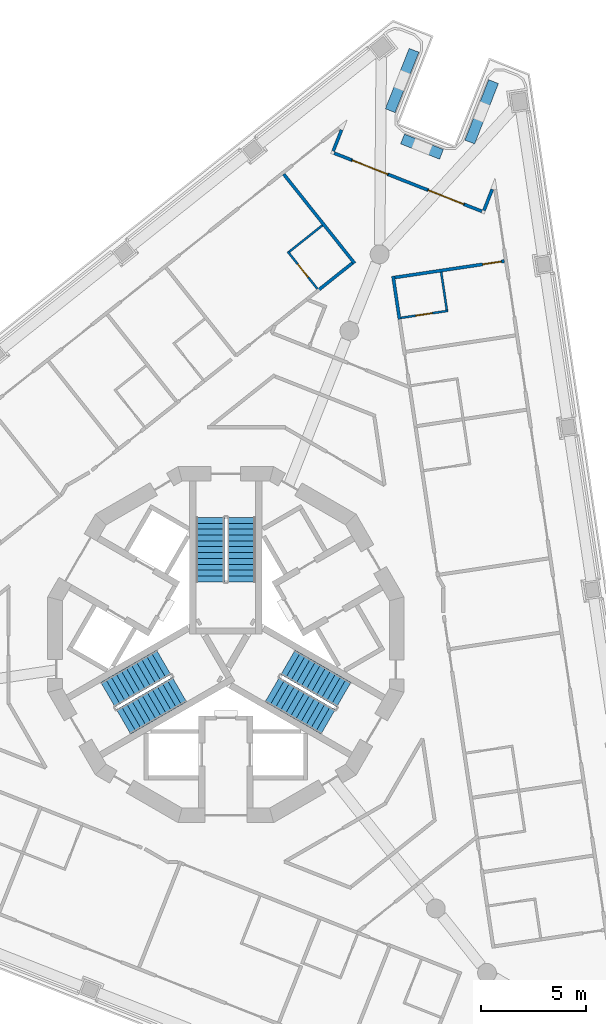
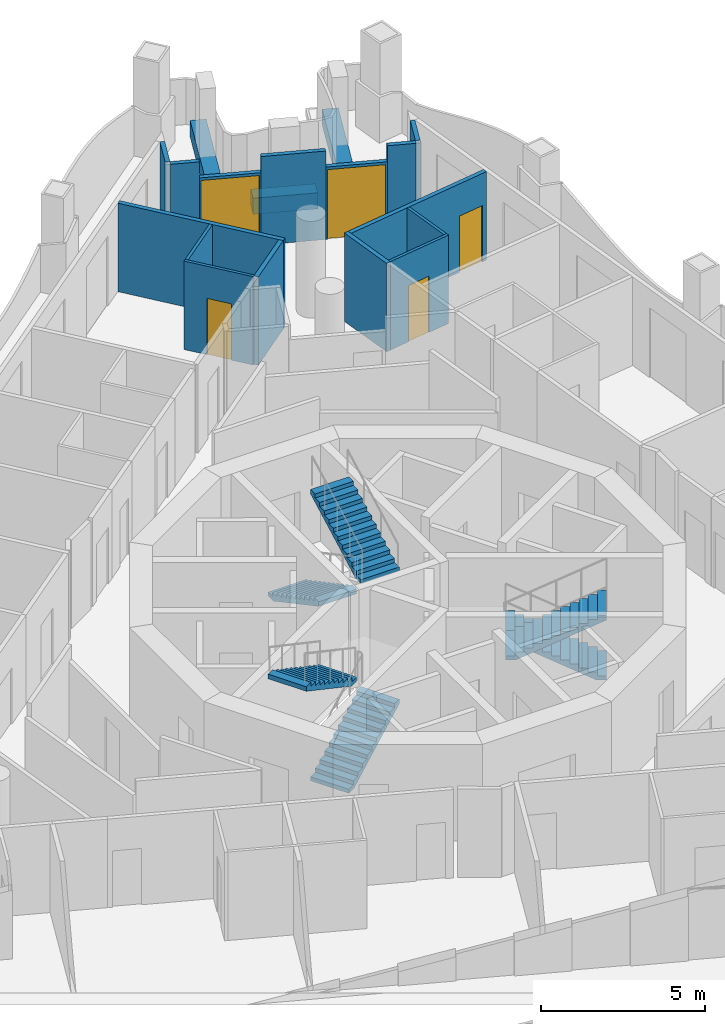
# One storey, part 9 of 16: 18 walls, 6 stair flights, 5 doors, 5 openings, 3 elements without a shape of their own.
"""IFC4 building model written with IfcOpenShell, lengths in metres."""

from ifc_helpers import new_model, si_unit, direction, frame, frame_2d, origin, place, context, subcontext, project, spatial, polyline, rectangle, outline, extrude, material, layer, layer_set, type_object, element, fill, aggregate, save


model = new_model("IFC4")

# Units and contexts
model_context = context("Model", 3, precision=1e-05, world=origin(), true_north=direction((0.0, 1.0)))
body_context = subcontext(model_context, "Body", "Model", "MODEL_VIEW")
ifc_project = project(units=[si_unit("LENGTHUNIT", "METRE"), si_unit("AREAUNIT", "SQUARE_METRE"), si_unit("VOLUMEUNIT", "CUBIC_METRE"), si_unit("PLANEANGLEUNIT", "RADIAN"), si_unit("MASSUNIT", "GRAM", prefix="KILO")], contexts=[model_context])

# Site, building, storey
site_placement = place(None, origin())
site = spatial("IfcSite", under=ifc_project, at=site_placement, CompositionType="ELEMENT")
building_placement = place(site_placement, origin())
building = spatial("IfcBuilding", under=site, at=building_placement, Name="Trine Commons Tower", CompositionType="ELEMENT")
storey_placement = place(building_placement, frame((0.0, 0.0, 201.60009765625)))
storey = spatial("IfcBuildingStorey", under=building, at=storey_placement, Name="L52", CompositionType="ELEMENT", Elevation=201.60009765625)

# Walls
ifc_material_1 = material(Name="Aluminium-framed insulated wall panel", Category="aluminium")
ifc_layer_1 = layer(ifc_material_1, 0.14990234375)
ifc_layer_set_1 = layer_set([ifc_layer_1], Name="Aluminium-framed insulated wall panel")
wall_type_1 = type_object("IfcWallType", Name="Glazed frame wall 150, EI 60", PredefinedType="SOLIDWALL", material=ifc_layer_set_1)
wall_1_placement = place(storey_placement, frame((85.575927734375, 87.201171875, 0.0), z_axis=(0.0, 0.0, 1.0), x_axis=(-0.366472142006, -0.930429024232, 0.0)))
element("IfcWall", 1, at=wall_1_placement, inside=storey, type_object=wall_type_1, Name="Glazed frame wall R2", PredefinedType="SOLIDWALL", context=body_context, shape_type="SweptSolid", body=[
    extrude(outline(polyline([(0.1494140625, 0.074951171875), (0.1494140625, -0.074951171875), (1.235107421875, -0.074951171875), (1.235107421875, 0.074951171875), (0.1494140625, 0.074951171875)])), origin(), (0.0, 0.0, 1.0), 3.2998046875),
])
wall_2_placement = place(storey_placement, frame((85.063232421875, 85.9951171875, 0.0), z_axis=(0.0, 0.0, 1.0), x_axis=(0.930433620143, -0.366460473323, 0.0)))
element("IfcWall", 2, at=wall_2_placement, inside=storey, type_object=wall_type_1, Name="Glazed frame wall P1.1", PredefinedType="SOLIDWALL", context=body_context, shape_type="SweptSolid", body=[
    extrude(outline(polyline([(0.110107421875, -0.074951171875), (1.0, -0.074951171875), (1.0, 0.074951171875), (0.110107421875, 0.074951171875), (0.110107421875, -0.074951171875)])), origin(), (0.0, 0.0, 1.0), 3.2998046875),
])

# Wall, opening, door
wall_3_placement = place(storey_placement, frame((85.99365234375, 85.628662109375, 0.0), z_axis=(0.0, 0.0, 1.0), x_axis=(0.930387146689, -0.366578446279, 0.0)))
wall_3 = element("IfcWall", 3, at=wall_3_placement, inside=storey, type_object=wall_type_1, Name="Glazed frame wall P1.2", PredefinedType="SOLIDWALL", context=body_context, shape_type="SweptSolid", body=[
    extrude(outline(polyline([(0.0, -0.074951171875), (1.89990234375, -0.074951171875), (1.89990234375, 0.074951171875), (0.0, 0.074951171875), (0.0, -0.074951171875)])), origin(), (0.0, 0.0, 1.0), 2.699951171875),
])
opening_1_placement = place(wall_3_placement, frame((0.050048828125, 0.0, 0.0)))
opening_1 = element("IfcOpeningElement", 4, at=opening_1_placement, cuts=wall_3, Name="Opening BD-6P1-01", PredefinedType="OPENING", context=body_context, shape_type="SweptSolid", body=[
    extrude(rectangle(XDim=1.800048828125, YDim=2.60009765625, at=frame_2d((0.89990234375, 1.300048828125))), frame((0.0, 0.0849609375, 0.0), z_axis=(0.0, -1.0, 0.0), x_axis=(1.0, 0.0, 0.0)), (0.0, 0.0, 1.0), 0.169921875),
])
ifc_material_2 = material(Name="Anodised aluminium frame with double glazing", Category="aluminium")
door_type_1 = type_object("IfcDoorType", Name="Sliding loggia door 1800x2600", OperationType="SLIDING_TO_LEFT", PredefinedType="DOOR", material=ifc_material_2)
door_1_placement = place(opening_1_placement, origin())
door_1 = element("IfcDoor", 5, at=door_1_placement, inside=storey, type_object=door_type_1, Name="Loggia door P1 1", OperationType="SLIDING_TO_LEFT", OverallHeight=2.60009765625, OverallWidth=1.800048828125, PredefinedType="DOOR", context=body_context, shape_type="SweptSolid", body=[
    extrude(rectangle(XDim=1.800048828125, YDim=2.60009765625, at=frame_2d((0.89990234375, 1.300048828125))), frame((0.0, 0.02490234375, 0.0), z_axis=(0.0, -1.0, 0.0), x_axis=(1.0, 0.0, 0.0)), (0.0, 0.0, 1.0), 0.050048828125),
])
fill(opening_1, door_1)

# Wall
wall_4_placement = place(storey_placement, frame((87.761474609375, 84.93212890625, 0.0), z_axis=(0.0, 0.0, 1.0), x_axis=(0.930433620143, -0.366460473323, 0.0)))
element("IfcWall", 6, at=wall_4_placement, inside=storey, type_object=wall_type_1, Name="Glazed frame wall P1.3", PredefinedType="SOLIDWALL", context=body_context, shape_type="SweptSolid", body=[
    extrude(outline(polyline([(0.0, -0.074951171875), (2.0, -0.074951171875), (2.0, 0.074951171875), (0.0, 0.074951171875), (0.0, -0.074951171875)])), origin(), (0.0, 0.0, 1.0), 3.2998046875),
])

# Wall, opening, door
wall_5_placement = place(storey_placement, frame((89.622314453125, 84.19921875, 0.0), z_axis=(0.0, 0.0, 1.0), x_axis=(0.930387146689, -0.366578446279, 0.0)))
wall_5 = element("IfcWall", 7, at=wall_5_placement, inside=storey, type_object=wall_type_1, Name="Glazed frame wall P1.4", PredefinedType="SOLIDWALL", context=body_context, shape_type="SweptSolid", body=[
    extrude(outline(polyline([(0.0, -0.074951171875), (1.89990234375, -0.074951171875), (1.89990234375, 0.074951171875), (0.0, 0.074951171875), (0.0, -0.074951171875)])), origin(), (0.0, 0.0, 1.0), 2.699951171875),
])
opening_2_placement = place(wall_5_placement, frame((0.050048828125, 0.0, 0.0)))
opening_2 = element("IfcOpeningElement", 8, at=opening_2_placement, cuts=wall_5, Name="Opening BD-6P1-02", PredefinedType="OPENING", context=body_context, shape_type="SweptSolid", body=[
    extrude(rectangle(XDim=1.800048828125, YDim=2.60009765625, at=frame_2d((0.89990234375, 1.300048828125))), frame((0.0, 0.0849609375, 0.0), z_axis=(0.0, -1.0, 0.0), x_axis=(1.0, 0.0, 0.0)), (0.0, 0.0, 1.0), 0.169921875),
])
door_2_placement = place(opening_2_placement, origin())
door_2 = element("IfcDoor", 9, at=door_2_placement, inside=storey, type_object=door_type_1, Name="Loggia door P1 2", OperationType="SLIDING_TO_LEFT", OverallHeight=2.60009765625, OverallWidth=1.800048828125, PredefinedType="DOOR", context=body_context, shape_type="SweptSolid", body=[
    extrude(rectangle(XDim=1.800048828125, YDim=2.60009765625, at=frame_2d((0.89990234375, 1.300048828125))), frame((0.0, 0.02490234375, 0.0), z_axis=(0.0, -1.0, 0.0), x_axis=(1.0, 0.0, 0.0)), (0.0, 0.0, 1.0), 0.050048828125),
])
fill(opening_2, door_2)

# Walls
wall_6_placement = place(storey_placement, frame((91.39013671875, 83.502685546875, 0.0), z_axis=(0.0, 0.0, 1.0), x_axis=(0.930433620143, -0.366460473323, 0.0)))
element("IfcWall", 10, at=wall_6_placement, inside=storey, type_object=wall_type_1, Name="Glazed frame wall P1.5", PredefinedType="SOLIDWALL", context=body_context, shape_type="SweptSolid", body=[
    extrude(outline(polyline([(0.889892578125, 0.074951171875), (0.0, 0.074951171875), (0.0, -0.074951171875), (0.889892578125, -0.074951171875), (0.889892578125, 0.074951171875)])), origin(), (0.0, 0.0, 1.0), 3.2998046875),
])
wall_7_placement = place(storey_placement, frame((92.275146484375, 83.11669921875, 0.0), z_axis=(0.0, 0.0, 1.0), x_axis=(0.366534042844, 0.9304046407, 0.0)))
element("IfcWall", 11, at=wall_7_placement, inside=storey, type_object=wall_type_1, Name="Glazed frame wall R4", PredefinedType="SOLIDWALL", context=body_context, shape_type="SweptSolid", body=[
    extrude(outline(polyline([(0.110107421875, 0.074951171875), (0.110107421875, -0.074951171875), (1.19580078125, -0.074951171875), (1.19580078125, 0.074951171875), (0.110107421875, 0.074951171875)])), origin(), (0.0, 0.0, 1.0), 3.2998046875),
])
ifc_material_3 = material(Name="Planter trough, precast concrete C40/50", Category="concrete")
ifc_layer_2 = layer(ifc_material_3, 0.5)
ifc_layer_set_2 = layer_set([ifc_layer_2], Name="Planter trough, precast concrete C40/50")
wall_type_2 = type_object("IfcWallType", Name="Planter trough 500x600", PredefinedType="PARAPET", material=ifc_layer_set_2)
wall_8_placement = place(storey_placement, frame((88.97998046875, 90.86328125, 0.0), z_axis=(0.0, 0.0, 1.0), x_axis=(-0.366456340628, -0.930435247835, 0.0)))
element("IfcWall", 12, at=wall_8_placement, inside=storey, type_object=wall_type_2, Name="Planter 4", PredefinedType="PARAPET", context=body_context, shape_type="SweptSolid", body=[
    extrude(rectangle(XDim=3.099853515625, YDim=0.5, at=frame_2d((1.5498046875, 0.0))), origin(), (0.0, 0.0, 1.0), 0.599853515625),
])
wall_9_placement = place(storey_placement, frame((88.430419921875, 86.630126953125, 0.0), z_axis=(0.0, 0.0, 1.0), x_axis=(0.930417223886, -0.366502100263, 0.0)))
element("IfcWall", 13, at=wall_9_placement, inside=storey, type_object=wall_type_2, Name="Planter 5", PredefinedType="PARAPET", context=body_context, shape_type="SweptSolid", body=[
    extrude(rectangle(XDim=1.999755859375, YDim=0.5, at=frame_2d((1.0, 0.0))), origin(), (0.0, 0.0, 1.0), 0.599853515625),
])
wall_10_placement = place(storey_placement, frame((91.639892578125, 86.483642578125, 0.0), z_axis=(0.0, 0.0, 1.0), x_axis=(0.366524518382, 0.930408392817, 0.0)))
element("IfcWall", 14, at=wall_10_placement, inside=storey, type_object=wall_type_2, Name="Planter 6", PredefinedType="PARAPET", context=body_context, shape_type="SweptSolid", body=[
    extrude(rectangle(XDim=3.10009765625, YDim=0.5, at=frame_2d((1.550048828125, 0.0))), origin(), (0.0, 0.0, 1.0), 0.599853515625),
])
ifc_material_4 = material(Name="Gypsum plasterboard on steel stud", Category="steel")
ifc_layer_3 = layer(ifc_material_4, 0.14990234375)
ifc_layer_set_3 = layer_set([ifc_layer_3], Name="Gypsum plasterboard on steel stud")
wall_type_3 = type_object("IfcWallType", Name="Unit and corridor wall 150 mm, EI 60", PredefinedType="PARTITIONING", material=ifc_layer_set_3)
wall_11_placement = place(storey_placement, frame((82.761962890625, 84.94970703125, 0.0), z_axis=(0.0, 0.0, 1.0), x_axis=(0.622457280045, -0.782653776915, 0.0)))
element("IfcWall", 15, at=wall_11_placement, inside=storey, type_object=wall_type_3, Name="Partition 065", PredefinedType="PARTITIONING", context=body_context, shape_type="SweptSolid", body=[
    extrude(rectangle(XDim=5.4345703125, YDim=0.14990234375, at=frame_2d((2.71728515625, 0.0))), origin(), (0.0, 0.0, 1.0), 3.2998046875),
])
wall_12_placement = place(storey_placement, frame((84.4130859375, 79.4150390625, 0.0), z_axis=(0.0, 0.0, 1.0), x_axis=(0.782688216637, 0.622413974407, 0.0)))
element("IfcWall", 16, at=wall_12_placement, inside=storey, type_object=wall_type_3, Name="Partition 078", PredefinedType="PARTITIONING", context=body_context, shape_type="SweptSolid", body=[
    extrude(rectangle(XDim=2.07763671875, YDim=0.14990234375, at=frame_2d((1.038818359375, 0.0))), origin(), (0.0, 0.0, 1.0), 3.2998046875),
])
wall_13_placement = place(storey_placement, frame((87.97900390625, 80.084228515625, 0.0), z_axis=(0.0, 0.0, 1.0), x_axis=(0.147880939426, -0.989005170742, 0.0)))
element("IfcWall", 17, at=wall_13_placement, inside=storey, type_object=wall_type_3, Name="Partition 088", PredefinedType="PARTITIONING", context=body_context, shape_type="SweptSolid", body=[
    extrude(rectangle(XDim=2.07861328125, YDim=0.14990234375, at=frame_2d((1.039306640625, 0.0))), origin(), (0.0, 0.0, 1.0), 3.2998046875),
])

# Wall, opening, door
wall_14_placement = place(storey_placement, frame((88.064208984375, 80.02099609375, 0.0), z_axis=(0.0, 0.0, 1.0), x_axis=(0.988994889639, 0.147949681543, 0.0)))
wall_14 = element("IfcWall", 18, at=wall_14_placement, inside=storey, type_object=wall_type_3, Name="Partition 089", PredefinedType="PARTITIONING", context=body_context, shape_type="SweptSolid", body=[
    extrude(rectangle(XDim=5.285400390625, YDim=0.14990234375, at=frame_2d((2.642578125, 0.0))), origin(), (0.0, 0.0, 1.0), 3.2998046875),
])
opening_3_placement = place(wall_14_placement, frame((4.2353515625, 0.0, 0.0)))
opening_3 = element("IfcOpeningElement", 19, at=opening_3_placement, cuts=wall_14, Name="Opening D-6A13", PredefinedType="OPENING", context=body_context, shape_type="SweptSolid", body=[
    extrude(rectangle(XDim=0.89990234375, YDim=2.10009765625, at=frame_2d((0.449951171875, 1.050048828125))), frame((0.0, 0.0849609375, 0.0), z_axis=(0.0, -1.0, 0.0), x_axis=(1.0, 0.0, 0.0)), (0.0, 0.0, 1.0), 0.169921875),
])
ifc_material_5 = material(Name="Timber fire door set", Category="wood")
door_type_2 = type_object("IfcDoorType", Name="Bedroom door 900 x 2100, FD30S", OperationType="NOTDEFINED", PredefinedType="DOOR", material=ifc_material_5)
door_3_placement = place(opening_3_placement, frame((0.89990234375, 0.0, 0.0), z_axis=(0.0, 0.0, 1.0), x_axis=(-1.0, 0.0, 0.0)))
door_3 = element("IfcDoor", 20, at=door_3_placement, inside=storey, type_object=door_type_2, Name="Door D-6A13", OperationType="SINGLE_SWING_LEFT", OverallHeight=2.10009765625, OverallWidth=0.89990234375, PredefinedType="DOOR", context=body_context, shape_type="SweptSolid", body=[
    extrude(rectangle(XDim=0.89990234375, YDim=2.10009765625, at=frame_2d((0.449951171875, 1.050048828125))), frame((0.0, 0.02490234375, 0.0), z_axis=(0.0, -1.0, 0.0), x_axis=(1.0, 0.0, 0.0)), (0.0, 0.0, 1.0), 0.050048828125),
])
fill(opening_3, door_3)

ifc_layer_4 = layer(ifc_material_4, 0.10009765625)
ifc_layer_set_4 = layer_set([ifc_layer_4], Name="Gypsum plasterboard on steel stud")
wall_type_4 = type_object("IfcWallType", Name="Unit partition 100 mm, no rating", PredefinedType="PARTITIONING", material=ifc_layer_set_4)
wall_15_placement = place(storey_placement, frame((82.952880859375, 81.256103515625, 0.0), z_axis=(0.0, 0.0, 1.0), x_axis=(0.622572854105, -0.782561845052, 0.0)))
wall_15 = element("IfcWall", 21, at=wall_15_placement, inside=storey, type_object=wall_type_4, Name="Partition 069", PredefinedType="PARTITIONING", context=body_context, shape_type="SweptSolid", body=[
    extrude(rectangle(XDim=2.275146484375, YDim=0.10009765625, at=frame_2d((1.1376953125, 0.0))), origin(), (0.0, 0.0, 1.0), 3.2998046875),
])
opening_4_placement = place(wall_15_placement, frame((0.7626953125, 0.0, 0.0)))
opening_4 = element("IfcOpeningElement", 22, at=opening_4_placement, cuts=wall_15, Name="Opening D-6A33", PredefinedType="OPENING", context=body_context, shape_type="SweptSolid", body=[
    extrude(rectangle(XDim=0.800048828125, YDim=2.10009765625, at=frame_2d((0.39990234375, 1.050048828125))), frame((0.0, 0.06005859375, 0.0), z_axis=(0.0, -1.0, 0.0), x_axis=(1.0, 0.0, 0.0)), (0.0, 0.0, 1.0), 0.1201171875),
])
ifc_material_6 = material(Name="Painted timber", Category="wood")
door_type_3 = type_object("IfcDoorType", Name="Internal door 800 x 2100, NOT RATED", OperationType="NOTDEFINED", PredefinedType="DOOR", material=ifc_material_6)
door_4_placement = place(opening_4_placement, frame((0.800048828125, 0.0, 0.0), z_axis=(0.0, 0.0, 1.0), x_axis=(-1.0, 0.0, 0.0)))
door_4 = element("IfcDoor", 23, at=door_4_placement, inside=storey, type_object=door_type_3, Name="Door D-6A33", OperationType="SINGLE_SWING_LEFT", OverallHeight=2.10009765625, OverallWidth=0.800048828125, PredefinedType="DOOR", context=body_context, shape_type="SweptSolid", body=[
    extrude(rectangle(XDim=0.800048828125, YDim=2.10009765625, at=frame_2d((0.39990234375, 1.050048828125))), frame((0.0, 0.02490234375, 0.0), z_axis=(0.0, -1.0, 0.0), x_axis=(1.0, 0.0, 0.0)), (0.0, 0.0, 1.0), 0.050048828125),
])
fill(opening_4, door_4)

# Wall
wall_16_placement = place(storey_placement, frame((83.023193359375, 81.248046875, 0.0), z_axis=(0.0, 0.0, 1.0), x_axis=(0.782770551169, 0.622310424324, 0.0)))
element("IfcWall", 24, at=wall_16_placement, inside=storey, type_object=wall_type_4, Name="Partition 070", PredefinedType="PARTITIONING", context=body_context, shape_type="SweptSolid", body=[
    extrude(rectangle(XDim=2.025146484375, YDim=0.10009765625, at=frame_2d((1.0126953125, 0.0))), origin(), (0.0, 0.0, 1.0), 3.2998046875),
])

# Wall, opening, door
wall_17_placement = place(storey_placement, frame((88.352294921875, 78.093017578125, 0.0), z_axis=(0.0, 0.0, 1.0), x_axis=(0.989007860101, 0.147862952286, 0.0)))
wall_17 = element("IfcWall", 25, at=wall_17_placement, inside=storey, type_object=wall_type_4, Name="Partition 090", PredefinedType="PARTITIONING", context=body_context, shape_type="SweptSolid", body=[
    extrude(rectangle(XDim=2.275146484375, YDim=0.10009765625, at=frame_2d((1.1376953125, 0.0))), origin(), (0.0, 0.0, 1.0), 3.2998046875),
])
opening_5_placement = place(wall_17_placement, frame((0.712646484375, 0.0, 0.0)))
opening_5 = element("IfcOpeningElement", 26, at=opening_5_placement, cuts=wall_17, Name="Opening D-6A34", PredefinedType="OPENING", context=body_context, shape_type="SweptSolid", body=[
    extrude(rectangle(XDim=0.800048828125, YDim=2.10009765625, at=frame_2d((0.39990234375, 1.050048828125))), frame((0.0, 0.06005859375, 0.0), z_axis=(0.0, -1.0, 0.0), x_axis=(1.0, 0.0, 0.0)), (0.0, 0.0, 1.0), 0.1201171875),
])
door_5_placement = place(opening_5_placement, frame((0.800048828125, 0.0, 0.0), z_axis=(0.0, 0.0, 1.0), x_axis=(-1.0, 0.0, 0.0)))
door_5 = element("IfcDoor", 27, at=door_5_placement, inside=storey, type_object=door_type_3, Name="Door D-6A34", OperationType="SINGLE_SWING_RIGHT", OverallHeight=2.10009765625, OverallWidth=0.800048828125, PredefinedType="DOOR", context=body_context, shape_type="SweptSolid", body=[
    extrude(rectangle(XDim=0.800048828125, YDim=2.10009765625, at=frame_2d((0.39990234375, 1.050048828125))), frame((0.0, 0.02490234375, 0.0), z_axis=(0.0, -1.0, 0.0), x_axis=(1.0, 0.0, 0.0)), (0.0, 0.0, 1.0), 0.050048828125),
])
fill(opening_5, door_5)

# Wall
wall_18_placement = place(storey_placement, frame((90.276123046875, 80.27587890625, 0.0), z_axis=(0.0, 0.0, 1.0), x_axis=(0.14773187693, -0.989027447819, 0.0)))
element("IfcWall", 28, at=wall_18_placement, inside=storey, type_object=wall_type_4, Name="Partition 106", PredefinedType="PARTITIONING", context=body_context, shape_type="SweptSolid", body=[
    extrude(rectangle(XDim=1.824462890625, YDim=0.10009765625, at=frame_2d((0.912109375, 0.0))), origin(), (0.0, 0.0, 1.0), 3.2998046875),
])

# Stair, stair flights
ifc_material_7 = material(Name="Concrete C50/60", Category="concrete")
stair_type = type_object("IfcStairType", Name="Exit stair, dog-leg, 24 risers of 150 mm", PredefinedType="HALF_TURN_STAIR", material=ifc_material_7)
stair_1_placement = place(storey_placement, origin())
stair_1 = element("IfcStair", 29, at=stair_1_placement, inside=storey, type_object=stair_type, Name="L52 Exit stair ST1C", PredefinedType="HALF_TURN_STAIR")
stair_flight_type = type_object("IfcStairFlightType", Name="Stair flight, 1350 wide, 12 risers of 150 mm", PredefinedType="STRAIGHT", material=ifc_material_7)
stair_flight_1_placement = place(storey_placement, frame((79.25, 68.570556640625, 0.0), z_axis=(0.0, 0.0, 1.0), x_axis=(0.0, -1.0, 0.0)))
stair_flight_1 = element("IfcStairFlight", 30, at=stair_flight_1_placement, type_object=stair_flight_type, Name="ST1C flight 1", NumberOfRisers=12, NumberOfTreads=11, PredefinedType="STRAIGHT", RiserHeight=0.15, TreadLength=0.28, context=body_context, shape_type="SweptSolid", body=[
    extrude(outline(polyline([(0.0, 0.0), (0.0, 0.14990234375), (0.280029296875, 0.14990234375), (0.280029296875, 0.300048828125), (0.56005859375, 0.300048828125), (0.56005859375, 0.449951171875), (0.840087890625, 0.449951171875), (0.840087890625, 0.60009765625), (1.1201171875, 0.60009765625), (1.1201171875, 0.75), (1.39990234375, 0.75), (1.39990234375, 0.89990234375), (1.679931640625, 0.89990234375), (1.679931640625, 1.050048828125), (1.9599609375, 1.050048828125), (1.9599609375, 1.199951171875), (2.239990234375, 1.199951171875), (2.239990234375, 1.35009765625), (2.52001953125, 1.35009765625), (2.52001953125, 1.5), (2.800048828125, 1.5), (2.800048828125, 1.64990234375), (3.080078125, 1.64990234375), (3.080078125, 1.800048828125), (3.080078125, 1.47998046875), (0.3173828125, 0.0), (0.0, 0.0)])), frame((0.0, 0.675048828125, 0.0), z_axis=(0.0, -1.0, 0.0), x_axis=(1.0, 0.0, 0.0)), (0.0, 0.0, 1.0), 1.35009765625),
])
stair_flight_2_placement = place(storey_placement, frame((80.75, 65.490478515625, 1.7998046875), z_axis=(0.0, 0.0, 1.0), x_axis=(0.0, 1.0, 0.0)))
stair_flight_2 = element("IfcStairFlight", 31, at=stair_flight_2_placement, type_object=stair_flight_type, Name="ST1C flight 2", NumberOfRisers=12, NumberOfTreads=11, PredefinedType="STRAIGHT", RiserHeight=0.15, TreadLength=0.28, context=body_context, shape_type="SweptSolid", body=[
    extrude(outline(polyline([(0.0, 0.0), (0.0, 0.14990234375), (0.280029296875, 0.14990234375), (0.280029296875, 0.300048828125), (0.56005859375, 0.300048828125), (0.56005859375, 0.449951171875), (0.840087890625, 0.449951171875), (0.840087890625, 0.60009765625), (1.1201171875, 0.60009765625), (1.1201171875, 0.75), (1.39990234375, 0.75), (1.39990234375, 0.89990234375), (1.679931640625, 0.89990234375), (1.679931640625, 1.050048828125), (1.9599609375, 1.050048828125), (1.9599609375, 1.199951171875), (2.239990234375, 1.199951171875), (2.239990234375, 1.35009765625), (2.52001953125, 1.35009765625), (2.52001953125, 1.5), (2.800048828125, 1.5), (2.800048828125, 1.64990234375), (3.080078125, 1.64990234375), (3.080078125, 1.800048828125), (3.080078125, 1.47998046875), (0.3173828125, 0.0), (0.0, 0.0)])), frame((0.0, 0.675048828125, 0.0), z_axis=(0.0, -1.0, 0.0), x_axis=(1.0, 0.0, 0.0)), (0.0, 0.0, 1.0), 1.35009765625),
])
aggregate(stair_1, [stair_flight_1, stair_flight_2])

stair_2_placement = place(storey_placement, origin())
stair_2 = element("IfcStair", 32, at=stair_2_placement, inside=storey, type_object=stair_type, Name="L52 Exit stair ST2C", PredefinedType="HALF_TURN_STAIR")
stair_flight_3_placement = place(storey_placement, frame((75.11767578125, 58.815185546875, 0.0), z_axis=(0.0, 0.0, 1.0), x_axis=(0.866025403784, 0.5, 0.0)))
stair_flight_3 = element("IfcStairFlight", 33, at=stair_flight_3_placement, type_object=stair_flight_type, Name="ST2C flight 1", NumberOfRisers=12, NumberOfTreads=11, PredefinedType="STRAIGHT", RiserHeight=0.15, TreadLength=0.28, context=body_context, shape_type="SweptSolid", body=[
    extrude(outline(polyline([(0.0, 0.0), (0.0, 0.14990234375), (0.280029296875, 0.14990234375), (0.280029296875, 0.300048828125), (0.56005859375, 0.300048828125), (0.56005859375, 0.449951171875), (0.840087890625, 0.449951171875), (0.840087890625, 0.60009765625), (1.1201171875, 0.60009765625), (1.1201171875, 0.75), (1.39990234375, 0.75), (1.39990234375, 0.89990234375), (1.679931640625, 0.89990234375), (1.679931640625, 1.050048828125), (1.9599609375, 1.050048828125), (1.9599609375, 1.199951171875), (2.239990234375, 1.199951171875), (2.239990234375, 1.35009765625), (2.52001953125, 1.35009765625), (2.52001953125, 1.5), (2.800048828125, 1.5), (2.800048828125, 1.64990234375), (3.080078125, 1.64990234375), (3.080078125, 1.800048828125), (3.080078125, 1.47998046875), (0.3173828125, 0.0), (0.0, 0.0)])), frame((0.0, 0.675048828125, 0.0), z_axis=(0.0, -1.0, 0.0), x_axis=(1.0, 0.0, 0.0)), (0.0, 0.0, 1.0), 1.35009765625),
])
stair_flight_4_placement = place(storey_placement, frame((77.03515625, 61.654296875, 1.7998046875), z_axis=(0.0, 0.0, 1.0), x_axis=(-0.866025403784, -0.5, 0.0)))
stair_flight_4 = element("IfcStairFlight", 34, at=stair_flight_4_placement, type_object=stair_flight_type, Name="ST2C flight 2", NumberOfRisers=12, NumberOfTreads=11, PredefinedType="STRAIGHT", RiserHeight=0.15, TreadLength=0.28, context=body_context, shape_type="SweptSolid", body=[
    extrude(outline(polyline([(0.0, 0.0), (0.0, 0.14990234375), (0.280029296875, 0.14990234375), (0.280029296875, 0.300048828125), (0.56005859375, 0.300048828125), (0.56005859375, 0.449951171875), (0.840087890625, 0.449951171875), (0.840087890625, 0.60009765625), (1.1201171875, 0.60009765625), (1.1201171875, 0.75), (1.39990234375, 0.75), (1.39990234375, 0.89990234375), (1.679931640625, 0.89990234375), (1.679931640625, 1.050048828125), (1.9599609375, 1.050048828125), (1.9599609375, 1.199951171875), (2.239990234375, 1.199951171875), (2.239990234375, 1.35009765625), (2.52001953125, 1.35009765625), (2.52001953125, 1.5), (2.800048828125, 1.5), (2.800048828125, 1.64990234375), (3.080078125, 1.64990234375), (3.080078125, 1.800048828125), (3.080078125, 1.47998046875), (0.3173828125, 0.0), (0.0, 0.0)])), frame((0.0, 0.675048828125, 0.0), z_axis=(0.0, -1.0, 0.0), x_axis=(1.0, 0.0, 0.0)), (0.0, 0.0, 1.0), 1.35009765625),
])
aggregate(stair_2, [stair_flight_3, stair_flight_4])

stair_3_placement = place(storey_placement, origin())
stair_3 = element("IfcStair", 35, at=stair_3_placement, inside=storey, type_object=stair_type, Name="L52 Exit stair ST3C", PredefinedType="HALF_TURN_STAIR")
stair_flight_5_placement = place(storey_placement, frame((85.63232421875, 60.1142578125, 0.0), z_axis=(0.0, 0.0, 1.0), x_axis=(-0.866025403784, 0.5, 0.0)))
stair_flight_5 = element("IfcStairFlight", 36, at=stair_flight_5_placement, type_object=stair_flight_type, Name="ST3C flight 1", NumberOfRisers=12, NumberOfTreads=11, PredefinedType="STRAIGHT", RiserHeight=0.15, TreadLength=0.28, context=body_context, shape_type="SweptSolid", body=[
    extrude(outline(polyline([(0.0, 0.0), (0.0, 0.14990234375), (0.280029296875, 0.14990234375), (0.280029296875, 0.300048828125), (0.56005859375, 0.300048828125), (0.56005859375, 0.449951171875), (0.840087890625, 0.449951171875), (0.840087890625, 0.60009765625), (1.1201171875, 0.60009765625), (1.1201171875, 0.75), (1.39990234375, 0.75), (1.39990234375, 0.89990234375), (1.679931640625, 0.89990234375), (1.679931640625, 1.050048828125), (1.9599609375, 1.050048828125), (1.9599609375, 1.199951171875), (2.239990234375, 1.199951171875), (2.239990234375, 1.35009765625), (2.52001953125, 1.35009765625), (2.52001953125, 1.5), (2.800048828125, 1.5), (2.800048828125, 1.64990234375), (3.080078125, 1.64990234375), (3.080078125, 1.800048828125), (3.080078125, 1.47998046875), (0.3173828125, 0.0), (0.0, 0.0)])), frame((0.0, 0.675048828125, 0.0), z_axis=(0.0, -1.0, 0.0), x_axis=(1.0, 0.0, 0.0)), (0.0, 0.0, 1.0), 1.35009765625),
])
stair_flight_6_placement = place(storey_placement, frame((82.21484375, 60.355224609375, 1.7998046875), z_axis=(0.0, 0.0, 1.0), x_axis=(0.866025403784, -0.5, 0.0)))
stair_flight_6 = element("IfcStairFlight", 37, at=stair_flight_6_placement, type_object=stair_flight_type, Name="ST3C flight 2", NumberOfRisers=12, NumberOfTreads=11, PredefinedType="STRAIGHT", RiserHeight=0.15, TreadLength=0.28, context=body_context, shape_type="SweptSolid", body=[
    extrude(outline(polyline([(0.0, 0.0), (0.0, 0.14990234375), (0.280029296875, 0.14990234375), (0.280029296875, 0.300048828125), (0.56005859375, 0.300048828125), (0.56005859375, 0.449951171875), (0.840087890625, 0.449951171875), (0.840087890625, 0.60009765625), (1.1201171875, 0.60009765625), (1.1201171875, 0.75), (1.39990234375, 0.75), (1.39990234375, 0.89990234375), (1.679931640625, 0.89990234375), (1.679931640625, 1.050048828125), (1.9599609375, 1.050048828125), (1.9599609375, 1.199951171875), (2.239990234375, 1.199951171875), (2.239990234375, 1.35009765625), (2.52001953125, 1.35009765625), (2.52001953125, 1.5), (2.800048828125, 1.5), (2.800048828125, 1.64990234375), (3.080078125, 1.64990234375), (3.080078125, 1.800048828125), (3.080078125, 1.47998046875), (0.3173828125, 0.0), (0.0, 0.0)])), frame((0.0, 0.675048828125, 0.0), z_axis=(0.0, -1.0, 0.0), x_axis=(1.0, 0.0, 0.0)), (0.0, 0.0, 1.0), 1.35009765625),
])
aggregate(stair_3, [stair_flight_5, stair_flight_6])

save(model, "model.ifc")
